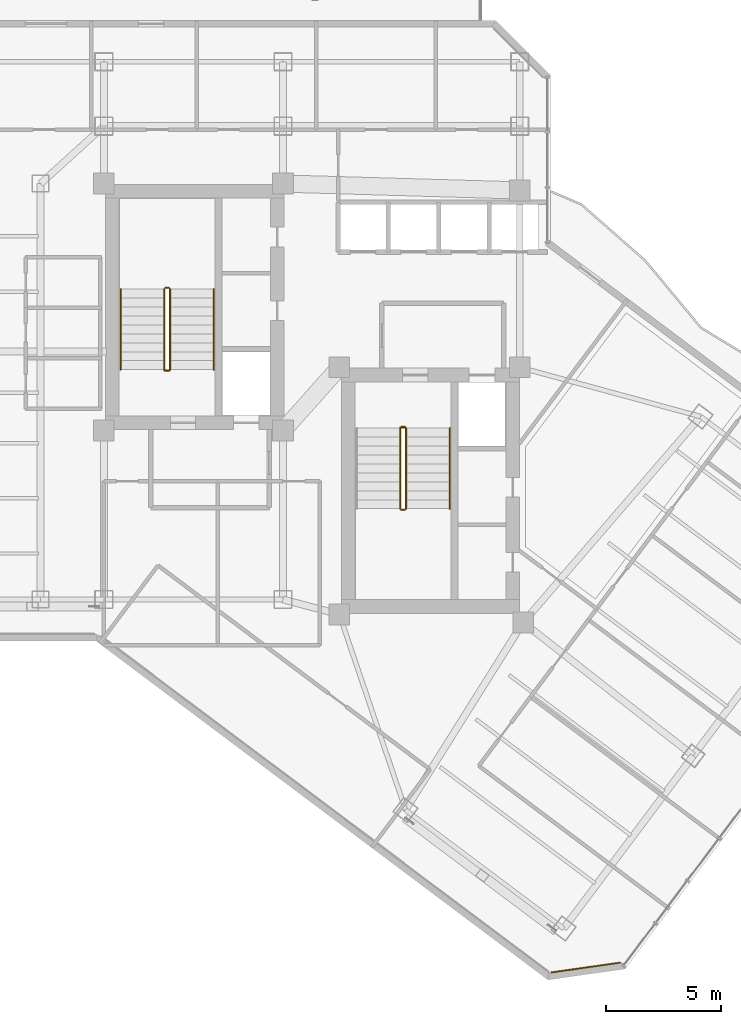
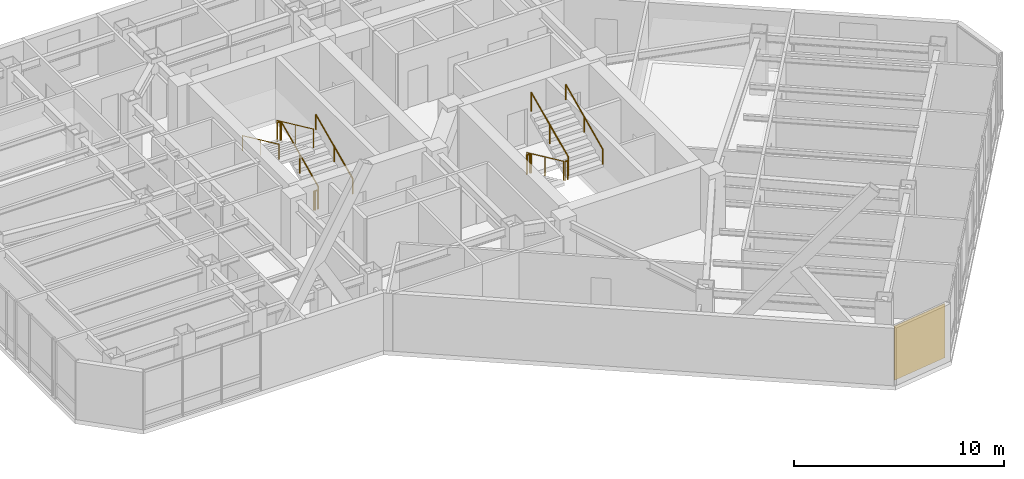
# One storey, part 26 of 27: 13 railings, 1 covering.
"""IFC4 building model written with IfcOpenShell, lengths in metres."""

from ifc_helpers import new_model, si_unit, direction, frame, origin, origin_2d, place, context, subcontext, project, spatial, rectangle, circle, extrude, material, layer, layer_set, type_object, element, save


model = new_model("IFC4")

# Units and contexts
model_context = context("Model", 3, precision=1e-05, world=origin(), true_north=direction((0.0, 1.0)))
body_context = subcontext(model_context, "Body", "Model", "MODEL_VIEW")
ifc_project = project(units=[si_unit("LENGTHUNIT", "METRE"), si_unit("AREAUNIT", "SQUARE_METRE"), si_unit("VOLUMEUNIT", "CUBIC_METRE"), si_unit("PLANEANGLEUNIT", "RADIAN"), si_unit("MASSUNIT", "GRAM", prefix="KILO")], contexts=[model_context])

# Site, building, storey
site_placement = place(None, origin())
site = spatial("IfcSite", under=ifc_project, at=site_placement, CompositionType="ELEMENT")
building_placement = place(site_placement, origin())
building = spatial("IfcBuilding", under=site, at=building_placement, Name="Hatsunagi Terrace Concourse", CompositionType="ELEMENT")
storey_placement = place(building_placement, frame((0.0, 0.0, 167.25)))
storey = spatial("IfcBuildingStorey", under=building, at=storey_placement, Name="L44", CompositionType="ELEMENT", Elevation=167.25)

# Railings
ifc_material_1 = material(Name="Stainless steel", Category="steel")
ifc_layer_1 = layer(ifc_material_1, 0.044921875)
ifc_layer_set_1 = layer_set([ifc_layer_1], Name="StairPitchHandrail_Tower2000")
railing_type_1 = type_object("IfcRailingType", Name="StairPitchHandrail_Tower2000", PredefinedType="HANDRAIL", material=ifc_layer_set_1)
railing_1_placement = place(storey_placement, frame((30.330078125, 35.199951171875, 0.179931640625)))
element("IfcRailing", 1, at=railing_1_placement, inside=storey, type_object=railing_type_1, Name="L44 ST-A stair handrail 1", PredefinedType="HANDRAIL", context=body_context, shape_type="SweptSolid", body=[
    extrude(circle(Radius=0.02392578125, at=origin_2d()), frame((0.0, 0.0, 0.8759765625), z_axis=(0.0, 0.907948293929, 0.419082206198), x_axis=(-1.0, 0.0, 0.0)), (0.0, 0.0, 1.0), 3.865966796875),
    extrude(circle(Radius=0.02099609375, at=origin_2d()), origin(), (0.0, 0.0, 1.0), 0.851806640625),
    extrude(circle(Radius=0.02099609375, at=origin_2d()), frame((0.0, 1.7548828125, 0.81005859375)), (0.0, 0.0, 1.0), 0.851806640625),
    extrude(circle(Radius=0.02099609375, at=origin_2d()), frame((0.0, 3.510009765625, 1.6201171875)), (0.0, 0.0, 1.0), 0.851806640625),
])
railing_2_placement = place(storey_placement, frame((26.280029296875, 38.7099609375, 1.97998046875)))
element("IfcRailing", 2, at=railing_2_placement, inside=storey, type_object=railing_type_1, Name="L44 ST-A stair handrail 2", PredefinedType="HANDRAIL", context=body_context, shape_type="SweptSolid", body=[
    extrude(circle(Radius=0.02392578125, at=origin_2d()), frame((0.0, 0.0, 0.8759765625), z_axis=(0.0, -0.907948293929, 0.419082206198), x_axis=(1.0, 0.0, 0.0)), (0.0, 0.0, 1.0), 3.865966796875),
    extrude(circle(Radius=0.02099609375, at=origin_2d()), origin(), (0.0, 0.0, 1.0), 0.851806640625),
    extrude(circle(Radius=0.02099609375, at=origin_2d()), frame((0.0, -1.7548828125, 0.81005859375)), (0.0, 0.0, 1.0), 0.851806640625),
    extrude(circle(Radius=0.02099609375, at=origin_2d()), frame((0.0, -3.510009765625, 1.6201171875)), (0.0, 0.0, 1.0), 0.851806640625),
])
railing_3_placement = place(storey_placement, frame((40.60009765625, 29.14990234375, 1.97998046875)))
element("IfcRailing", 3, at=railing_3_placement, inside=storey, type_object=railing_type_1, Name="L44 ST-B stair handrail 2", PredefinedType="HANDRAIL", context=body_context, shape_type="SweptSolid", body=[
    extrude(circle(Radius=0.02392578125, at=origin_2d()), frame((0.0, 0.0, 0.8759765625), z_axis=(0.0, 0.907948293929, 0.419082206198), x_axis=(-1.0, 0.0, 0.0)), (0.0, 0.0, 1.0), 3.865966796875),
    extrude(circle(Radius=0.02099609375, at=origin_2d()), origin(), (0.0, 0.0, 1.0), 0.851806640625),
    extrude(circle(Radius=0.02099609375, at=origin_2d()), frame((0.0, 1.7548828125, 0.81005859375)), (0.0, 0.0, 1.0), 0.851806640625),
    extrude(circle(Radius=0.02099609375, at=origin_2d()), frame((0.0, 3.510009765625, 1.6201171875)), (0.0, 0.0, 1.0), 0.851806640625),
])
ifc_material_2 = material(Name="Stainless steel", Category="steel")
ifc_layer_2 = layer(ifc_material_2, 0.06005859375)
ifc_layer_set_2 = layer_set([ifc_layer_2], Name="StairWellGuard_Tower2000")
railing_type_2 = type_object("IfcRailingType", Name="StairWellGuard_Tower2000", PredefinedType="BALUSTRADE", material=ifc_layer_set_2)
railing_4_placement = place(storey_placement, frame((28.429931640625, 35.199951171875, 0.179931640625)))
element("IfcRailing", 4, at=railing_4_placement, inside=storey, type_object=railing_type_2, Name="L44 ST-A stair guard 1", PredefinedType="BALUSTRADE", context=body_context, shape_type="SweptSolid", body=[
    extrude(circle(Radius=0.02392578125, at=origin_2d()), frame((0.0, 0.0, 1.09619140625), z_axis=(0.0, 0.907948293929, 0.419082206198), x_axis=(-1.0, 0.0, 0.0)), (0.0, 0.0, 1.0), 3.865966796875),
    extrude(circle(Radius=0.02099609375, at=origin_2d()), origin(), (0.0, 0.0, 1.0), 1.072021484375),
    extrude(circle(Radius=0.02099609375, at=origin_2d()), frame((0.0, 1.7548828125, 0.81005859375)), (0.0, 0.0, 1.0), 1.072021484375),
    extrude(circle(Radius=0.02099609375, at=origin_2d()), frame((0.0, 3.510009765625, 1.6201171875)), (0.0, 0.0, 1.0), 1.072021484375),
])
railing_5_placement = place(storey_placement, frame((28.3798828125, 38.760009765625, 1.800048828125)))
element("IfcRailing", 5, at=railing_5_placement, inside=storey, type_object=railing_type_2, Name="L44 ST-A stair guard 2", PredefinedType="BALUSTRADE", context=body_context, shape_type="SweptSolid", body=[
    extrude(circle(Radius=0.02392578125, at=origin_2d()), frame((0.0, 0.0, 1.09619140625), z_axis=(-1.0, 0.0, 0.0), x_axis=(0.0, -1.0, 0.0)), (0.0, 0.0, 1.0), 0.14990234375),
    extrude(circle(Radius=0.02099609375, at=origin_2d()), origin(), (0.0, 0.0, 1.0), 1.072021484375),
    extrude(circle(Radius=0.02099609375, at=origin_2d()), frame((-0.14990234375, 0.0, 0.0)), (0.0, 0.0, 1.0), 1.072021484375),
])
railing_6_placement = place(storey_placement, frame((28.179931640625, 38.7099609375, 1.97998046875)))
element("IfcRailing", 6, at=railing_6_placement, inside=storey, type_object=railing_type_2, Name="L44 ST-A stair guard 3", PredefinedType="BALUSTRADE", context=body_context, shape_type="SweptSolid", body=[
    extrude(circle(Radius=0.02392578125, at=origin_2d()), frame((0.0, 0.0, 1.09619140625), z_axis=(0.0, -0.907948293929, 0.419082206198), x_axis=(1.0, 0.0, 0.0)), (0.0, 0.0, 1.0), 3.865966796875),
    extrude(circle(Radius=0.02099609375, at=origin_2d()), origin(), (0.0, 0.0, 1.0), 1.072021484375),
    extrude(circle(Radius=0.02099609375, at=origin_2d()), frame((0.0, -1.7548828125, 0.81005859375)), (0.0, 0.0, 1.0), 1.072021484375),
    extrude(circle(Radius=0.02099609375, at=origin_2d()), frame((0.0, -3.510009765625, 1.6201171875)), (0.0, 0.0, 1.0), 1.072021484375),
])
railing_7_placement = place(storey_placement, frame((28.3798828125, 35.14990234375, 0.0)))
element("IfcRailing", 7, at=railing_7_placement, inside=storey, type_object=railing_type_2, Name="L44 ST-A stair guard 4", PredefinedType="BALUSTRADE", context=body_context, shape_type="SweptSolid", body=[
    extrude(circle(Radius=0.02392578125, at=origin_2d()), frame((0.0, 0.0, 1.09619140625), z_axis=(-1.0, 0.0, 0.0), x_axis=(0.0, -1.0, 0.0)), (0.0, 0.0, 1.0), 0.14990234375),
    extrude(circle(Radius=0.02099609375, at=origin_2d()), origin(), (0.0, 0.0, 1.0), 1.072021484375),
    extrude(circle(Radius=0.02099609375, at=origin_2d()), frame((-0.14990234375, 0.0, 0.0)), (0.0, 0.0, 1.0), 1.072021484375),
])
railing_8_placement = place(storey_placement, frame((38.449951171875, 32.659912109375, 0.179931640625)))
element("IfcRailing", 8, at=railing_8_placement, inside=storey, type_object=railing_type_2, Name="L44 ST-B stair guard 1", PredefinedType="BALUSTRADE", context=body_context, shape_type="SweptSolid", body=[
    extrude(circle(Radius=0.02392578125, at=origin_2d()), frame((0.0, 0.0, 1.09619140625), z_axis=(0.0, -0.907948293929, 0.419082206198), x_axis=(1.0, 0.0, 0.0)), (0.0, 0.0, 1.0), 3.865966796875),
    extrude(circle(Radius=0.02099609375, at=origin_2d()), origin(), (0.0, 0.0, 1.0), 1.072021484375),
    extrude(circle(Radius=0.02099609375, at=origin_2d()), frame((0.0, -1.7548828125, 0.81005859375)), (0.0, 0.0, 1.0), 1.072021484375),
    extrude(circle(Radius=0.02099609375, at=origin_2d()), frame((0.0, -3.510009765625, 1.6201171875)), (0.0, 0.0, 1.0), 1.072021484375),
])
railing_9_placement = place(storey_placement, frame((38.5, 29.10009765625, 1.800048828125)))
element("IfcRailing", 9, at=railing_9_placement, inside=storey, type_object=railing_type_2, Name="L44 ST-B stair guard 2", PredefinedType="BALUSTRADE", context=body_context, shape_type="SweptSolid", body=[
    extrude(circle(Radius=0.02392578125, at=origin_2d()), frame((0.0, 0.0, 1.09619140625), z_axis=(1.0, 0.0, 0.0), x_axis=(0.0, 1.0, 0.0)), (0.0, 0.0, 1.0), 0.14990234375),
    extrude(circle(Radius=0.02099609375, at=origin_2d()), origin(), (0.0, 0.0, 1.0), 1.072021484375),
    extrude(circle(Radius=0.02099609375, at=origin_2d()), frame((0.14990234375, 0.0, 0.0)), (0.0, 0.0, 1.0), 1.072021484375),
])
railing_10_placement = place(storey_placement, frame((38.699951171875, 29.14990234375, 1.97998046875)))
element("IfcRailing", 10, at=railing_10_placement, inside=storey, type_object=railing_type_2, Name="L44 ST-B stair guard 3", PredefinedType="BALUSTRADE", context=body_context, shape_type="SweptSolid", body=[
    extrude(circle(Radius=0.02392578125, at=origin_2d()), frame((0.0, 0.0, 1.09619140625), z_axis=(0.0, 0.907948293929, 0.419082206198), x_axis=(-1.0, 0.0, 0.0)), (0.0, 0.0, 1.0), 3.865966796875),
    extrude(circle(Radius=0.02099609375, at=origin_2d()), origin(), (0.0, 0.0, 1.0), 1.072021484375),
    extrude(circle(Radius=0.02099609375, at=origin_2d()), frame((0.0, 1.7548828125, 0.81005859375)), (0.0, 0.0, 1.0), 1.072021484375),
    extrude(circle(Radius=0.02099609375, at=origin_2d()), frame((0.0, 3.510009765625, 1.6201171875)), (0.0, 0.0, 1.0), 1.072021484375),
])
railing_11_placement = place(storey_placement, frame((38.5, 32.7099609375, 0.0)))
element("IfcRailing", 11, at=railing_11_placement, inside=storey, type_object=railing_type_2, Name="L44 ST-B stair guard 4", PredefinedType="BALUSTRADE", context=body_context, shape_type="SweptSolid", body=[
    extrude(circle(Radius=0.02392578125, at=origin_2d()), frame((0.0, 0.0, 1.09619140625), z_axis=(1.0, 0.0, 0.0), x_axis=(0.0, 1.0, 0.0)), (0.0, 0.0, 1.0), 0.14990234375),
    extrude(circle(Radius=0.02099609375, at=origin_2d()), origin(), (0.0, 0.0, 1.0), 1.072021484375),
    extrude(circle(Radius=0.02099609375, at=origin_2d()), frame((0.14990234375, 0.0, 0.0)), (0.0, 0.0, 1.0), 1.072021484375),
])
ifc_material_3 = material(Name="Stainless Steel SUS316 Post-and-Rail Guard", Category="steel")
ifc_layer_3 = layer(ifc_material_3, 0.080078125)
ifc_layer_set_3 = layer_set([ifc_layer_3], Name="TerracePlantedGuardRail_1200")
railing_type_3 = type_object("IfcRailingType", Name="TerracePlantedGuardRail_1200", PredefinedType="GUARDRAIL", material=ifc_layer_set_3)
for number, where, name in (
    (12, (28.179931640625, 35.179931640625, 0.0), "Stair ST-A Well Closure Guard L44"),
    (13, (38.449951171875, 32.679931640625, 0.0), "Stair ST-B Well Closure Guard L44"),
):
    element("IfcRailing", number, at=place(storey_placement, frame(where)), inside=storey, type_object=railing_type_3, Name=name, PredefinedType="GUARDRAIL", context=body_context, shape_type="SweptSolid", body=[
        extrude(circle(Radius=0.02392578125, at=origin_2d()), frame((0.0, 0.0, 1.09619140625), z_axis=(1.0, 0.0, 0.0), x_axis=(0.0, 1.0, 0.0)), (0.0, 0.0, 1.0), 0.25),
        extrude(circle(Radius=0.02099609375, at=origin_2d()), origin(), (0.0, 0.0, 1.0), 1.072021484375),
        extrude(circle(Radius=0.02099609375, at=origin_2d()), frame((0.25, 0.0, 0.0)), (0.0, 0.0, 1.0), 1.072021484375),
    ])

# Covering
ifc_material_4 = material(Name="Unglazed Warm Terracotta Rainscreen Tile", Category="masonry")
ifc_layer_4 = layer(ifc_material_4, 0.044921875)
ifc_layer_set_4 = layer_set([ifc_layer_4], Name="TerracottaRainscreenCladding_45")
covering_type = type_object("IfcCoveringType", Name="TerracottaRainscreenCladding_45", PredefinedType="CLADDING", material=ifc_layer_set_4)
covering_placement = place(storey_placement, frame((46.51806640625, 9.178955078125, 0.10009765625), z_axis=(0.0, 0.0, 1.0), x_axis=(-0.989973920543, -0.141250262458, 0.0)))
element("IfcCovering", 14, at=covering_placement, inside=storey, type_object=covering_type, Name="Terracotta Rainscreen Cladding L44-04", PredefinedType="CLADDING", context=body_context, shape_type="SweptSolid", body=[
    extrude(rectangle(XDim=3.0380859375, YDim=0.044921875, at=origin_2d()), origin(), (0.0, 0.0, 1.0), 3.14990234375),
])

save(model, "model.ifc")
